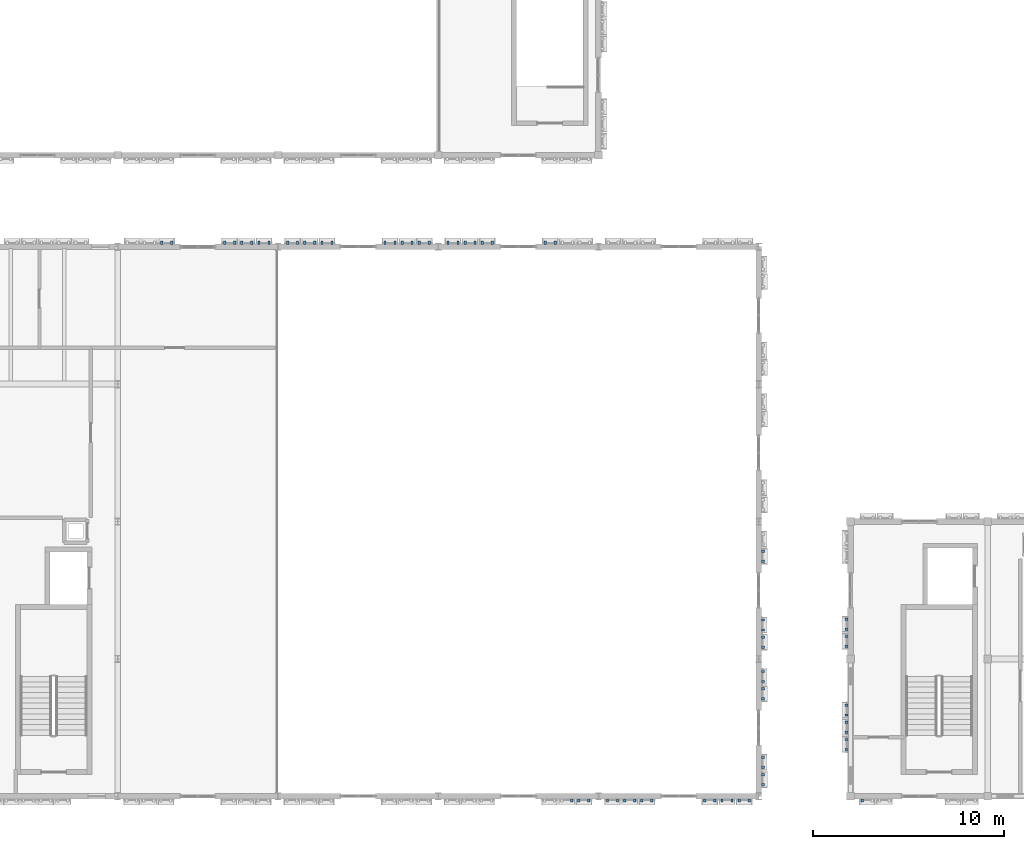
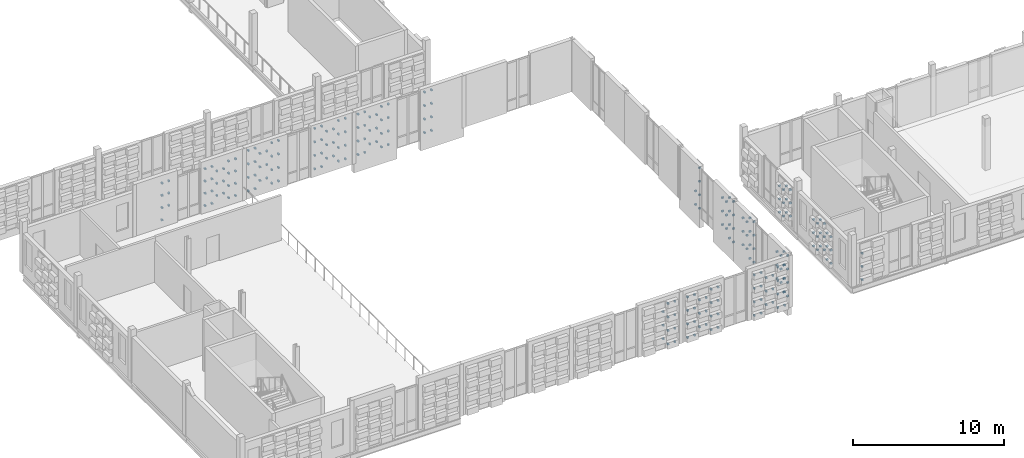
# One storey, part 67 of 81: 239 discrete accessories.
"""IFC4 building model written with IfcOpenShell, lengths in metres."""

import ifcopenshell
import ifcopenshell.guid

model = None  # the IFC model being written
_history = None  # IfcOwnerHistory: only IFC2X3 demands one
_inside = {}  # id of a spatial element -> (the spatial element, [elements in it])
_under = {}  # id of a project, library or spatial element -> (it, [spatial elements below it])
_declared = {}  # id of a project -> (the project, [libraries it declares])
_typed = {}  # id of a type object -> (the type object, [elements of that type])
_made_of = {}  # id of a material, layer set ... -> (it, [elements and type objects made of it])


def new_model(schema):
    """Start an empty IFC model of exactly this schema.

    Asked for "IFC4X3", IfcOpenShell would pick the latest addendum, in which some entities
    have other attributes; the version numbers below select the first issue.
    IFC2X3 requires an IfcOwnerHistory on every rooted entity: one is made here for all.
    """
    global model, _history
    if schema == "IFC4X3":
        model = ifcopenshell.file(schema_version=(4, 3, 0, 0))
    else:
        model = ifcopenshell.file(schema=schema)
    _inside.clear()
    _under.clear()
    _declared.clear()
    _typed.clear()
    _made_of.clear()
    _history = None
    if model.schema == "IFC2X3":
        org = make("IfcOrganization", Name="unknown")
        user = make(
            "IfcPersonAndOrganization",
            ThePerson=make("IfcPerson", FamilyName="unknown"),
            TheOrganization=org,
        )
        app = make(
            "IfcApplication",
            ApplicationDeveloper=org,
            Version="unknown",
            ApplicationFullName="unknown",
            ApplicationIdentifier="unknown",
        )
        _history = make(
            "IfcOwnerHistory",
            OwningUser=user,
            OwningApplication=app,
            ChangeAction="ADDED",
            CreationDate=0,
        )
    return model


def make(cls, **values):
    """One entity of the class cls with the attributes given. An attribute that is None is left unset."""
    return model.create_entity(
        cls, **{name: value for name, value in values.items() if value is not None}
    )


def rooted(cls, **values):
    """An entity with a GlobalId (a new one), such as an element, a storey or a relation."""
    return make(cls, GlobalId=ifcopenshell.guid.new(), OwnerHistory=_history, **values)


def si_unit(unit_type, name, prefix=None):
    """IfcSIUnit, for example si_unit("LENGTHUNIT", "METRE", prefix="MILLI")."""
    return make("IfcSIUnit", UnitType=unit_type, Prefix=prefix, Name=name)


def assignment(units):
    """IfcUnitAssignment: the units of a project."""
    return None if units is None else make("IfcUnitAssignment", Units=units)


def point(xyz):
    """IfcCartesianPoint."""
    return None if xyz is None else make("IfcCartesianPoint", Coordinates=xyz)


def direction(xyz):
    """IfcDirection."""
    return None if xyz is None else make("IfcDirection", DirectionRatios=xyz)


def frame(location, z_axis=None, x_axis=None):
    """IfcAxis2Placement3D, a coordinate frame: its origin and axes. An axis left out is left unset."""
    return make(
        "IfcAxis2Placement3D",
        Location=point(location),
        Axis=direction(z_axis),
        RefDirection=direction(x_axis),
    )


def frame_2d(location, x_axis=None):
    """IfcAxis2Placement2D, a coordinate frame in the plane: its origin and x axis."""
    return make(
        "IfcAxis2Placement2D", Location=point(location), RefDirection=direction(x_axis)
    )


def origin():
    """The frame at (0, 0, 0) with its axes left unset."""
    return frame((0.0, 0.0, 0.0))


def origin_2d():
    """The frame at (0, 0) in the plane with its x axis left unset."""
    return frame_2d((0.0, 0.0))


def place(relative_to, where):
    """IfcLocalPlacement: puts the frame where relative to a parent placement (None: the world)."""
    return make(
        "IfcLocalPlacement", PlacementRelTo=relative_to, RelativePlacement=where
    )


def context(
    kind, dimensions, precision=None, world=None, true_north=None, identifier=None
):
    """IfcGeometricRepresentationContext, for example the 3D "Model" context."""
    return make(
        "IfcGeometricRepresentationContext",
        ContextIdentifier=identifier,
        ContextType=kind,
        CoordinateSpaceDimension=dimensions,
        Precision=precision,
        WorldCoordinateSystem=world,
        TrueNorth=true_north,
    )


def subcontext(parent, identifier, kind, view, scale=None):
    """IfcGeometricRepresentationSubContext, for example "Body" below "Model"."""
    return make(
        "IfcGeometricRepresentationSubContext",
        ContextIdentifier=identifier,
        ContextType=kind,
        ParentContext=parent,
        TargetScale=scale,
        TargetView=view,
    )


def project(units=None, contexts=None):
    """IfcProject with its units and contexts."""
    return rooted(
        "IfcProject",
        Name="project",
        RepresentationContexts=contexts,
        UnitsInContext=assignment(units),
    )


def spatial(cls, under=None, at=None, **own):
    """A site, building, storey or space (cls), placed at a placement, below another one or the project."""
    s = rooted(cls, ObjectPlacement=at, **own)
    if under is not None:
        _under.setdefault(under.id(), (under, []))[1].append(s)
    return s


def profile(cls, at=None, kind="AREA", **sizes):
    """A parametric profile (cls). Its sizes go by their IFC names, for example OverallWidth=200.0."""
    return make(cls, ProfileType=kind, Position=at, **sizes)


def rectangle(**sizes):
    """IfcRectangleProfileDef."""
    return profile("IfcRectangleProfileDef", **sizes)


def extrude(swept, where, along, depth):
    """IfcExtrudedAreaSolid: the profile swept, set in the frame where, extruded along a direction by depth."""
    return make(
        "IfcExtrudedAreaSolid",
        SweptArea=swept,
        Position=where,
        ExtrudedDirection=direction(along),
        Depth=depth,
    )


def shape(context_of_items, identifier, shape_type, items):
    """IfcShapeRepresentation: the items that make up one representation, for example the "Body"."""
    return make(
        "IfcShapeRepresentation",
        ContextOfItems=context_of_items,
        RepresentationIdentifier=identifier,
        RepresentationType=shape_type,
        Items=items,
    )


def material(Name=None, Category=None):
    """IfcMaterial."""
    return make("IfcMaterial", Name=Name, Category=Category)


def made_of(thing, what):
    """Note that an element or type object is made of a material, layer set ...; save() writes the relation."""
    if what is not None:
        _made_of.setdefault(what.id(), (what, []))[1].append(thing)
    return thing


def type_object(cls, material=None, **own):
    """A type object (cls), such as IfcWallType, which elements share."""
    return made_of(rooted(cls, **own), material)


def element(
    cls,
    number,
    at=None,
    inside=None,
    cuts=None,
    type_object=None,
    material=None,
    context=None,
    identifier="Body",
    shape_type=None,
    held_by="IfcProductDefinitionShape",
    body=None,
    shapes=None,
    **own,
):
    """One element of the class cls, such as IfcWall. Its Tag is "e" and its number.

    at: its placement. inside: the storey or other place that contains it. cuts: it is an
    opening in that element (IfcRelVoidsElement). A single representation is given by context,
    identifier, shape_type and body (its items); several are given by shapes. held_by: the class
    of the entity that holds the representations. save() writes the other relations.
    """
    e = rooted(cls, Tag="e%d" % number, ObjectPlacement=at, **own)
    if body is not None:
        shapes = [shape(context, identifier, shape_type, body)]
    if shapes is not None:
        e.Representation = make(held_by, Representations=shapes)
    if inside is not None:
        _inside.setdefault(inside.id(), (inside, []))[1].append(e)
    if cuts is not None:
        rooted(
            "IfcRelVoidsElement", RelatingBuildingElement=cuts, RelatedOpeningElement=e
        )
    if type_object is not None:
        _typed.setdefault(type_object.id(), (type_object, []))[1].append(e)
    return made_of(e, material)


def aggregate(whole, parts):
    """IfcRelAggregates: a whole, such as a stair, and the parts it consists of."""
    return rooted("IfcRelAggregates", RelatingObject=whole, RelatedObjects=parts)


def save(model, path):
    """Write the relations noted so far, then the file.

    IfcRelAggregates (storeys below a building ...), IfcRelContainedInSpatialStructure (elements
    in a storey), IfcRelDefinesByType, IfcRelAssociatesMaterial and IfcRelDeclares: one each for
    every whole, place, type object, material and project.
    """
    for whole, parts in _under.values():
        aggregate(whole, parts)
    for where, things in _inside.values():
        rooted(
            "IfcRelContainedInSpatialStructure",
            RelatedElements=things,
            RelatingStructure=where,
        )
    for kind, things in _typed.values():
        rooted("IfcRelDefinesByType", RelatedObjects=things, RelatingType=kind)
    for what, things in _made_of.values():
        rooted("IfcRelAssociatesMaterial", RelatedObjects=things, RelatingMaterial=what)
    for by, libraries in _declared.values():
        rooted("IfcRelDeclares", RelatingContext=by, RelatedDefinitions=libraries)
    model.write(path)


model = new_model("IFC4")

# Units and contexts
model_context = context("Model", 3, precision=1e-05, world=origin(), true_north=direction((0.0, 1.0)))
body_context = subcontext(model_context, "Body", "Model", "MODEL_VIEW")
ifc_project = project(units=[si_unit("LENGTHUNIT", "METRE"), si_unit("AREAUNIT", "SQUARE_METRE"), si_unit("VOLUMEUNIT", "CUBIC_METRE"), si_unit("PLANEANGLEUNIT", "RADIAN"), si_unit("MASSUNIT", "GRAM", prefix="KILO")], contexts=[model_context])

# Site, building, storey
site_placement = place(None, origin())
site = spatial("IfcSite", under=ifc_project, at=site_placement, CompositionType="ELEMENT")
building_placement = place(site_placement, origin())
building = spatial("IfcBuilding", under=site, at=building_placement, Name="Kahlenmark Community Centre", CompositionType="ELEMENT")
storey_placement = place(building_placement, frame((0.0, 0.0, 9.60009765625)))
storey = spatial("IfcBuildingStorey", under=building, at=storey_placement, Name="L02", CompositionType="ELEMENT", Elevation=9.60009765625)

# Discrete accessories
ifc_material = material(Name="Stainless steel 1.4401 rainscreen bracket", Category="steel")
discrete_accessory_type = type_object("IfcDiscreteAccessoryType", Name="DAT-BRACKET-TC", PredefinedType="BRACKET", material=ifc_material)
for number, where, z_axis, x_axis, name in (
    (1, (36.18994140625, 8.590087890625, 0.8388671875), (0.0, 0.0, 1.0), (1.0, 0.0, 0.0), "Terracotta cassette bracket 1911.2"),
    (2, (36.18994140625, 8.590087890625, 1.930908203125), (0.0, 0.0, 1.0), (1.0, 0.0, 0.0), "Terracotta cassette bracket 1913.2"),
    (3, (36.18994140625, 8.590087890625, 3.02294921875), (0.0, 0.0, 1.0), (1.0, 0.0, 0.0), "Terracotta cassette bracket 1915.2"),
    (4, (36.570068359375, 8.590087890625, 0.292724609375), (0.0, 0.0, 1.0), (1.0, 0.0, 0.0), "Terracotta cassette bracket 1917.1"),
    (5, (37.090087890625, 8.590087890625, 0.292724609375), (0.0, 0.0, 1.0), (1.0, 0.0, 0.0), "Terracotta cassette bracket 1917.2"),
    (6, (36.570068359375, 8.590087890625, 1.384765625), (0.0, 0.0, 1.0), (1.0, 0.0, 0.0), "Terracotta cassette bracket 1919.1"),
    (7, (37.090087890625, 8.590087890625, 1.384765625), (0.0, 0.0, 1.0), (1.0, 0.0, 0.0), "Terracotta cassette bracket 1919.2"),
    (8, (36.570068359375, 8.590087890625, 2.476806640625), (0.0, 0.0, 1.0), (1.0, 0.0, 0.0), "Terracotta cassette bracket 1921.1"),
    (9, (37.090087890625, 8.590087890625, 2.476806640625), (0.0, 0.0, 1.0), (1.0, 0.0, 0.0), "Terracotta cassette bracket 1921.2"),
    (10, (36.570068359375, 8.590087890625, 3.56884765625), (0.0, 0.0, 1.0), (1.0, 0.0, 0.0), "Terracotta cassette bracket 1923.1"),
    (11, (37.090087890625, 8.590087890625, 3.56884765625), (0.0, 0.0, 1.0), (1.0, 0.0, 0.0), "Terracotta cassette bracket 1923.2"),
    (12, (38.070068359375, 8.590087890625, 0.292724609375), (0.0, 0.0, 1.0), (1.0, 0.0, 0.0), "Terracotta cassette bracket 1924.1"),
    (13, (38.590087890625, 8.590087890625, 0.292724609375), (0.0, 0.0, 1.0), (1.0, 0.0, 0.0), "Terracotta cassette bracket 1924.2"),
    (14, (38.070068359375, 8.590087890625, 1.384765625), (0.0, 0.0, 1.0), (1.0, 0.0, 0.0), "Terracotta cassette bracket 1926.1"),
    (15, (38.590087890625, 8.590087890625, 1.384765625), (0.0, 0.0, 1.0), (1.0, 0.0, 0.0), "Terracotta cassette bracket 1926.2"),
    (16, (38.070068359375, 8.590087890625, 2.476806640625), (0.0, 0.0, 1.0), (1.0, 0.0, 0.0), "Terracotta cassette bracket 1928.1"),
    (17, (38.590087890625, 8.590087890625, 2.476806640625), (0.0, 0.0, 1.0), (1.0, 0.0, 0.0), "Terracotta cassette bracket 1928.2"),
    (18, (38.070068359375, 8.590087890625, 3.56884765625), (0.0, 0.0, 1.0), (1.0, 0.0, 0.0), "Terracotta cassette bracket 1930.1"),
    (19, (38.590087890625, 8.590087890625, 3.56884765625), (0.0, 0.0, 1.0), (1.0, 0.0, 0.0), "Terracotta cassette bracket 1930.2"),
    (20, (38.969970703125, 8.590087890625, 0.8388671875), (0.0, 0.0, 1.0), (1.0, 0.0, 0.0), "Terracotta cassette bracket 1932.1"),
    (21, (39.489990234375, 8.590087890625, 0.8388671875), (0.0, 0.0, 1.0), (1.0, 0.0, 0.0), "Terracotta cassette bracket 1932.2"),
    (22, (38.969970703125, 8.590087890625, 1.930908203125), (0.0, 0.0, 1.0), (1.0, 0.0, 0.0), "Terracotta cassette bracket 1934.1"),
    (23, (39.489990234375, 8.590087890625, 1.930908203125), (0.0, 0.0, 1.0), (1.0, 0.0, 0.0), "Terracotta cassette bracket 1934.2"),
    (24, (38.969970703125, 8.590087890625, 3.02294921875), (0.0, 0.0, 1.0), (1.0, 0.0, 0.0), "Terracotta cassette bracket 1936.1"),
    (25, (39.489990234375, 8.590087890625, 3.02294921875), (0.0, 0.0, 1.0), (1.0, 0.0, 0.0), "Terracotta cassette bracket 1936.2"),
    (26, (39.8701171875, 8.590087890625, 0.292724609375), (0.0, 0.0, 1.0), (1.0, 0.0, 0.0), "Terracotta cassette bracket 1938.1"),
    (27, (40.389892578125, 8.590087890625, 0.292724609375), (0.0, 0.0, 1.0), (1.0, 0.0, 0.0), "Terracotta cassette bracket 1938.2"),
    (28, (39.8701171875, 8.590087890625, 1.384765625), (0.0, 0.0, 1.0), (1.0, 0.0, 0.0), "Terracotta cassette bracket 1940.1"),
    (29, (40.389892578125, 8.590087890625, 1.384765625), (0.0, 0.0, 1.0), (1.0, 0.0, 0.0), "Terracotta cassette bracket 1940.2"),
    (30, (39.8701171875, 8.590087890625, 2.476806640625), (0.0, 0.0, 1.0), (1.0, 0.0, 0.0), "Terracotta cassette bracket 1942.1"),
    (31, (40.389892578125, 8.590087890625, 2.476806640625), (0.0, 0.0, 1.0), (1.0, 0.0, 0.0), "Terracotta cassette bracket 1942.2"),
    (32, (39.8701171875, 8.590087890625, 3.56884765625), (0.0, 0.0, 1.0), (1.0, 0.0, 0.0), "Terracotta cassette bracket 1944.1"),
    (33, (40.389892578125, 8.590087890625, 3.56884765625), (0.0, 0.0, 1.0), (1.0, 0.0, 0.0), "Terracotta cassette bracket 1944.2"),
    (34, (43.169921875, 8.590087890625, 0.292724609375), (0.0, 0.0, 1.0), (1.0, 0.0, 0.0), "Terracotta cassette bracket 1945.1"),
    (35, (43.68994140625, 8.590087890625, 0.292724609375), (0.0, 0.0, 1.0), (1.0, 0.0, 0.0), "Terracotta cassette bracket 1945.2"),
    (36, (43.169921875, 8.590087890625, 1.384765625), (0.0, 0.0, 1.0), (1.0, 0.0, 0.0), "Terracotta cassette bracket 1947.1"),
    (37, (43.68994140625, 8.590087890625, 1.384765625), (0.0, 0.0, 1.0), (1.0, 0.0, 0.0), "Terracotta cassette bracket 1947.2"),
    (38, (43.169921875, 8.590087890625, 2.476806640625), (0.0, 0.0, 1.0), (1.0, 0.0, 0.0), "Terracotta cassette bracket 1949.1"),
    (39, (43.68994140625, 8.590087890625, 2.476806640625), (0.0, 0.0, 1.0), (1.0, 0.0, 0.0), "Terracotta cassette bracket 1949.2"),
    (40, (43.169921875, 8.590087890625, 3.56884765625), (0.0, 0.0, 1.0), (1.0, 0.0, 0.0), "Terracotta cassette bracket 1951.1"),
    (41, (43.68994140625, 8.590087890625, 3.56884765625), (0.0, 0.0, 1.0), (1.0, 0.0, 0.0), "Terracotta cassette bracket 1951.2"),
    (42, (44.070068359375, 8.590087890625, 0.8388671875), (0.0, 0.0, 1.0), (1.0, 0.0, 0.0), "Terracotta cassette bracket 1953.1"),
    (43, (44.590087890625, 8.590087890625, 0.8388671875), (0.0, 0.0, 1.0), (1.0, 0.0, 0.0), "Terracotta cassette bracket 1953.2"),
    (44, (44.070068359375, 8.590087890625, 1.930908203125), (0.0, 0.0, 1.0), (1.0, 0.0, 0.0), "Terracotta cassette bracket 1955.1"),
    (45, (44.590087890625, 8.590087890625, 1.930908203125), (0.0, 0.0, 1.0), (1.0, 0.0, 0.0), "Terracotta cassette bracket 1955.2"),
    (46, (44.070068359375, 8.590087890625, 3.02294921875), (0.0, 0.0, 1.0), (1.0, 0.0, 0.0), "Terracotta cassette bracket 1957.1"),
    (47, (44.590087890625, 8.590087890625, 3.02294921875), (0.0, 0.0, 1.0), (1.0, 0.0, 0.0), "Terracotta cassette bracket 1957.2"),
    (48, (44.969970703125, 8.590087890625, 0.292724609375), (0.0, 0.0, 1.0), (1.0, 0.0, 0.0), "Terracotta cassette bracket 1959.1"),
    (49, (45.489990234375, 8.590087890625, 0.292724609375), (0.0, 0.0, 1.0), (1.0, 0.0, 0.0), "Terracotta cassette bracket 1959.2"),
    (50, (44.969970703125, 8.590087890625, 1.384765625), (0.0, 0.0, 1.0), (1.0, 0.0, 0.0), "Terracotta cassette bracket 1961.1"),
    (51, (45.489990234375, 8.590087890625, 1.384765625), (0.0, 0.0, 1.0), (1.0, 0.0, 0.0), "Terracotta cassette bracket 1961.2"),
    (52, (44.969970703125, 8.590087890625, 2.476806640625), (0.0, 0.0, 1.0), (1.0, 0.0, 0.0), "Terracotta cassette bracket 1963.1"),
    (53, (45.489990234375, 8.590087890625, 2.476806640625), (0.0, 0.0, 1.0), (1.0, 0.0, 0.0), "Terracotta cassette bracket 1963.2"),
    (54, (44.969970703125, 8.590087890625, 3.56884765625), (0.0, 0.0, 1.0), (1.0, 0.0, 0.0), "Terracotta cassette bracket 1965.1"),
    (55, (45.489990234375, 8.590087890625, 3.56884765625), (0.0, 0.0, 1.0), (1.0, 0.0, 0.0), "Terracotta cassette bracket 1965.2"),
    (56, (20.330078125, 37.81005859375, 0.267822265625), (0.0, 0.0, 1.0), (-1.0, 0.0, 0.0), "Terracotta cassette bracket 2001.1"),
    (57, (19.81005859375, 37.81005859375, 0.267822265625), (0.0, 0.0, 1.0), (-1.0, 0.0, 0.0), "Terracotta cassette bracket 2001.2"),
    (58, (20.330078125, 37.81005859375, 1.259765625), (0.0, 0.0, 1.0), (-1.0, 0.0, 0.0), "Terracotta cassette bracket 2003.1"),
    (59, (19.81005859375, 37.81005859375, 1.259765625), (0.0, 0.0, 1.0), (-1.0, 0.0, 0.0), "Terracotta cassette bracket 2003.2"),
    (60, (20.330078125, 37.81005859375, 2.251953125), (0.0, 0.0, 1.0), (-1.0, 0.0, 0.0), "Terracotta cassette bracket 2005.1"),
    (61, (19.81005859375, 37.81005859375, 2.251953125), (0.0, 0.0, 1.0), (-1.0, 0.0, 0.0), "Terracotta cassette bracket 2005.2"),
    (62, (20.330078125, 37.81005859375, 3.243896484375), (0.0, 0.0, 1.0), (-1.0, 0.0, 0.0), "Terracotta cassette bracket 2007.1"),
    (63, (19.81005859375, 37.81005859375, 3.243896484375), (0.0, 0.0, 1.0), (-1.0, 0.0, 0.0), "Terracotta cassette bracket 2007.2"),
    (64, (19.429931640625, 37.81005859375, 0.763916015625), (0.0, 0.0, 1.0), (-1.0, 0.0, 0.0), "Terracotta cassette bracket 2009.1"),
    (65, (18.909912109375, 37.81005859375, 0.763916015625), (0.0, 0.0, 1.0), (-1.0, 0.0, 0.0), "Terracotta cassette bracket 2009.2"),
    (66, (19.429931640625, 37.81005859375, 1.755859375), (0.0, 0.0, 1.0), (-1.0, 0.0, 0.0), "Terracotta cassette bracket 2011.1"),
    (67, (18.909912109375, 37.81005859375, 1.755859375), (0.0, 0.0, 1.0), (-1.0, 0.0, 0.0), "Terracotta cassette bracket 2011.2"),
    (68, (19.429931640625, 37.81005859375, 2.747802734375), (0.0, 0.0, 1.0), (-1.0, 0.0, 0.0), "Terracotta cassette bracket 2013.1"),
    (69, (18.909912109375, 37.81005859375, 2.747802734375), (0.0, 0.0, 1.0), (-1.0, 0.0, 0.0), "Terracotta cassette bracket 2013.2"),
    (70, (18.530029296875, 37.81005859375, 0.267822265625), (0.0, 0.0, 1.0), (-1.0, 0.0, 0.0), "Terracotta cassette bracket 2015.1"),
    (71, (18.010009765625, 37.81005859375, 0.267822265625), (0.0, 0.0, 1.0), (-1.0, 0.0, 0.0), "Terracotta cassette bracket 2015.2"),
    (72, (18.530029296875, 37.81005859375, 1.259765625), (0.0, 0.0, 1.0), (-1.0, 0.0, 0.0), "Terracotta cassette bracket 2017.1"),
    (73, (18.010009765625, 37.81005859375, 1.259765625), (0.0, 0.0, 1.0), (-1.0, 0.0, 0.0), "Terracotta cassette bracket 2017.2"),
    (74, (18.530029296875, 37.81005859375, 2.251953125), (0.0, 0.0, 1.0), (-1.0, 0.0, 0.0), "Terracotta cassette bracket 2019.1"),
    (75, (18.010009765625, 37.81005859375, 2.251953125), (0.0, 0.0, 1.0), (-1.0, 0.0, 0.0), "Terracotta cassette bracket 2019.2"),
    (76, (18.530029296875, 37.81005859375, 3.243896484375), (0.0, 0.0, 1.0), (-1.0, 0.0, 0.0), "Terracotta cassette bracket 2021.1"),
    (77, (18.010009765625, 37.81005859375, 3.243896484375), (0.0, 0.0, 1.0), (-1.0, 0.0, 0.0), "Terracotta cassette bracket 2021.2"),
    (78, (14.7099609375, 37.81005859375, 0.267822265625), (0.0, 0.0, 1.0), (-1.0, 0.0, 0.0), "Terracotta cassette bracket 2022.2"),
    (79, (15.22998046875, 37.81005859375, 1.259765625), (0.0, 0.0, 1.0), (-1.0, 0.0, 0.0), "Terracotta cassette bracket 2024.1"),
    (80, (14.7099609375, 37.81005859375, 1.259765625), (0.0, 0.0, 1.0), (-1.0, 0.0, 0.0), "Terracotta cassette bracket 2024.2"),
    (81, (15.22998046875, 37.81005859375, 2.251953125), (0.0, 0.0, 1.0), (-1.0, 0.0, 0.0), "Terracotta cassette bracket 2026.1"),
    (82, (14.7099609375, 37.81005859375, 2.251953125), (0.0, 0.0, 1.0), (-1.0, 0.0, 0.0), "Terracotta cassette bracket 2026.2"),
    (83, (15.22998046875, 37.81005859375, 3.243896484375), (0.0, 0.0, 1.0), (-1.0, 0.0, 0.0), "Terracotta cassette bracket 2028.1"),
    (84, (14.7099609375, 37.81005859375, 3.243896484375), (0.0, 0.0, 1.0), (-1.0, 0.0, 0.0), "Terracotta cassette bracket 2028.2"),
    (85, (28.72998046875, 37.81005859375, 0.292724609375), (0.0, 0.0, 1.0), (-1.0, 0.0, 0.0), "Terracotta cassette bracket 2043.1"),
    (86, (28.2099609375, 37.81005859375, 0.292724609375), (0.0, 0.0, 1.0), (-1.0, 0.0, 0.0), "Terracotta cassette bracket 2043.2"),
    (87, (28.72998046875, 37.81005859375, 1.384765625), (0.0, 0.0, 1.0), (-1.0, 0.0, 0.0), "Terracotta cassette bracket 2045.1"),
    (88, (28.2099609375, 37.81005859375, 1.384765625), (0.0, 0.0, 1.0), (-1.0, 0.0, 0.0), "Terracotta cassette bracket 2045.2"),
    (89, (28.72998046875, 37.81005859375, 2.476806640625), (0.0, 0.0, 1.0), (-1.0, 0.0, 0.0), "Terracotta cassette bracket 2047.1"),
    (90, (28.2099609375, 37.81005859375, 2.476806640625), (0.0, 0.0, 1.0), (-1.0, 0.0, 0.0), "Terracotta cassette bracket 2047.2"),
    (91, (28.72998046875, 37.81005859375, 3.56884765625), (0.0, 0.0, 1.0), (-1.0, 0.0, 0.0), "Terracotta cassette bracket 2049.1"),
    (92, (28.2099609375, 37.81005859375, 3.56884765625), (0.0, 0.0, 1.0), (-1.0, 0.0, 0.0), "Terracotta cassette bracket 2049.2"),
    (93, (27.830078125, 37.81005859375, 0.8388671875), (0.0, 0.0, 1.0), (-1.0, 0.0, 0.0), "Terracotta cassette bracket 2051.1"),
    (94, (27.31005859375, 37.81005859375, 0.8388671875), (0.0, 0.0, 1.0), (-1.0, 0.0, 0.0), "Terracotta cassette bracket 2051.2"),
    (95, (27.830078125, 37.81005859375, 1.930908203125), (0.0, 0.0, 1.0), (-1.0, 0.0, 0.0), "Terracotta cassette bracket 2053.1"),
    (96, (27.31005859375, 37.81005859375, 1.930908203125), (0.0, 0.0, 1.0), (-1.0, 0.0, 0.0), "Terracotta cassette bracket 2053.2"),
    (97, (27.830078125, 37.81005859375, 3.02294921875), (0.0, 0.0, 1.0), (-1.0, 0.0, 0.0), "Terracotta cassette bracket 2055.1"),
    (98, (27.31005859375, 37.81005859375, 3.02294921875), (0.0, 0.0, 1.0), (-1.0, 0.0, 0.0), "Terracotta cassette bracket 2055.2"),
    (99, (26.929931640625, 37.81005859375, 0.292724609375), (0.0, 0.0, 1.0), (-1.0, 0.0, 0.0), "Terracotta cassette bracket 2057.1"),
    (100, (26.409912109375, 37.81005859375, 0.292724609375), (0.0, 0.0, 1.0), (-1.0, 0.0, 0.0), "Terracotta cassette bracket 2057.2"),
    (101, (26.929931640625, 37.81005859375, 1.384765625), (0.0, 0.0, 1.0), (-1.0, 0.0, 0.0), "Terracotta cassette bracket 2059.1"),
    (102, (26.409912109375, 37.81005859375, 1.384765625), (0.0, 0.0, 1.0), (-1.0, 0.0, 0.0), "Terracotta cassette bracket 2059.2"),
    (103, (26.929931640625, 37.81005859375, 2.476806640625), (0.0, 0.0, 1.0), (-1.0, 0.0, 0.0), "Terracotta cassette bracket 2061.1"),
    (104, (26.409912109375, 37.81005859375, 2.476806640625), (0.0, 0.0, 1.0), (-1.0, 0.0, 0.0), "Terracotta cassette bracket 2061.2"),
    (105, (26.929931640625, 37.81005859375, 3.56884765625), (0.0, 0.0, 1.0), (-1.0, 0.0, 0.0), "Terracotta cassette bracket 2063.1"),
    (106, (26.409912109375, 37.81005859375, 3.56884765625), (0.0, 0.0, 1.0), (-1.0, 0.0, 0.0), "Terracotta cassette bracket 2063.2"),
    (107, (23.6298828125, 37.81005859375, 0.292724609375), (0.0, 0.0, 1.0), (-1.0, 0.0, 0.0), "Terracotta cassette bracket 2064.1"),
    (108, (23.110107421875, 37.81005859375, 0.292724609375), (0.0, 0.0, 1.0), (-1.0, 0.0, 0.0), "Terracotta cassette bracket 2064.2"),
    (109, (23.6298828125, 37.81005859375, 1.384765625), (0.0, 0.0, 1.0), (-1.0, 0.0, 0.0), "Terracotta cassette bracket 2066.1"),
    (110, (23.110107421875, 37.81005859375, 1.384765625), (0.0, 0.0, 1.0), (-1.0, 0.0, 0.0), "Terracotta cassette bracket 2066.2"),
    (111, (23.6298828125, 37.81005859375, 2.476806640625), (0.0, 0.0, 1.0), (-1.0, 0.0, 0.0), "Terracotta cassette bracket 2068.1"),
    (112, (23.110107421875, 37.81005859375, 2.476806640625), (0.0, 0.0, 1.0), (-1.0, 0.0, 0.0), "Terracotta cassette bracket 2068.2"),
    (113, (23.6298828125, 37.81005859375, 3.56884765625), (0.0, 0.0, 1.0), (-1.0, 0.0, 0.0), "Terracotta cassette bracket 2070.1"),
    (114, (23.110107421875, 37.81005859375, 3.56884765625), (0.0, 0.0, 1.0), (-1.0, 0.0, 0.0), "Terracotta cassette bracket 2070.2"),
    (115, (22.72998046875, 37.81005859375, 0.8388671875), (0.0, 0.0, 1.0), (-1.0, 0.0, 0.0), "Terracotta cassette bracket 2072.1"),
    (116, (22.2099609375, 37.81005859375, 0.8388671875), (0.0, 0.0, 1.0), (-1.0, 0.0, 0.0), "Terracotta cassette bracket 2072.2"),
    (117, (22.72998046875, 37.81005859375, 1.930908203125), (0.0, 0.0, 1.0), (-1.0, 0.0, 0.0), "Terracotta cassette bracket 2074.1"),
    (118, (22.2099609375, 37.81005859375, 1.930908203125), (0.0, 0.0, 1.0), (-1.0, 0.0, 0.0), "Terracotta cassette bracket 2074.2"),
    (119, (22.72998046875, 37.81005859375, 3.02294921875), (0.0, 0.0, 1.0), (-1.0, 0.0, 0.0), "Terracotta cassette bracket 2076.1"),
    (120, (22.2099609375, 37.81005859375, 3.02294921875), (0.0, 0.0, 1.0), (-1.0, 0.0, 0.0), "Terracotta cassette bracket 2076.2"),
    (121, (21.830078125, 37.81005859375, 0.292724609375), (0.0, 0.0, 1.0), (-1.0, 0.0, 0.0), "Terracotta cassette bracket 2078.1"),
    (122, (21.31005859375, 37.81005859375, 0.292724609375), (0.0, 0.0, 1.0), (-1.0, 0.0, 0.0), "Terracotta cassette bracket 2078.2"),
    (123, (21.830078125, 37.81005859375, 1.384765625), (0.0, 0.0, 1.0), (-1.0, 0.0, 0.0), "Terracotta cassette bracket 2080.1"),
    (124, (21.31005859375, 37.81005859375, 1.384765625), (0.0, 0.0, 1.0), (-1.0, 0.0, 0.0), "Terracotta cassette bracket 2080.2"),
    (125, (21.830078125, 37.81005859375, 2.476806640625), (0.0, 0.0, 1.0), (-1.0, 0.0, 0.0), "Terracotta cassette bracket 2082.1"),
    (126, (21.31005859375, 37.81005859375, 2.476806640625), (0.0, 0.0, 1.0), (-1.0, 0.0, 0.0), "Terracotta cassette bracket 2082.2"),
    (127, (21.830078125, 37.81005859375, 3.56884765625), (0.0, 0.0, 1.0), (-1.0, 0.0, 0.0), "Terracotta cassette bracket 2084.1"),
    (128, (21.31005859375, 37.81005859375, 3.56884765625), (0.0, 0.0, 1.0), (-1.0, 0.0, 0.0), "Terracotta cassette bracket 2084.2"),
    (129, (35.330078125, 37.81005859375, 0.292724609375), (0.0, 0.0, 1.0), (-1.0, 0.0, 0.0), "Terracotta cassette bracket 2099.1"),
    (130, (34.81005859375, 37.81005859375, 0.292724609375), (0.0, 0.0, 1.0), (-1.0, 0.0, 0.0), "Terracotta cassette bracket 2099.2"),
    (131, (35.330078125, 37.81005859375, 1.384765625), (0.0, 0.0, 1.0), (-1.0, 0.0, 0.0), "Terracotta cassette bracket 2101.1"),
    (132, (34.81005859375, 37.81005859375, 1.384765625), (0.0, 0.0, 1.0), (-1.0, 0.0, 0.0), "Terracotta cassette bracket 2101.2"),
    (133, (35.330078125, 37.81005859375, 2.476806640625), (0.0, 0.0, 1.0), (-1.0, 0.0, 0.0), "Terracotta cassette bracket 2103.1"),
    (134, (34.81005859375, 37.81005859375, 2.476806640625), (0.0, 0.0, 1.0), (-1.0, 0.0, 0.0), "Terracotta cassette bracket 2103.2"),
    (135, (35.330078125, 37.81005859375, 3.56884765625), (0.0, 0.0, 1.0), (-1.0, 0.0, 0.0), "Terracotta cassette bracket 2105.1"),
    (136, (34.81005859375, 37.81005859375, 3.56884765625), (0.0, 0.0, 1.0), (-1.0, 0.0, 0.0), "Terracotta cassette bracket 2105.2"),
    (137, (32.030029296875, 37.81005859375, 0.292724609375), (0.0, 0.0, 1.0), (-1.0, 0.0, 0.0), "Terracotta cassette bracket 2106.1"),
    (138, (31.510009765625, 37.81005859375, 0.292724609375), (0.0, 0.0, 1.0), (-1.0, 0.0, 0.0), "Terracotta cassette bracket 2106.2"),
    (139, (32.030029296875, 37.81005859375, 1.384765625), (0.0, 0.0, 1.0), (-1.0, 0.0, 0.0), "Terracotta cassette bracket 2108.1"),
    (140, (31.510009765625, 37.81005859375, 1.384765625), (0.0, 0.0, 1.0), (-1.0, 0.0, 0.0), "Terracotta cassette bracket 2108.2"),
    (141, (32.030029296875, 37.81005859375, 2.476806640625), (0.0, 0.0, 1.0), (-1.0, 0.0, 0.0), "Terracotta cassette bracket 2110.1"),
    (142, (31.510009765625, 37.81005859375, 2.476806640625), (0.0, 0.0, 1.0), (-1.0, 0.0, 0.0), "Terracotta cassette bracket 2110.2"),
    (143, (32.030029296875, 37.81005859375, 3.56884765625), (0.0, 0.0, 1.0), (-1.0, 0.0, 0.0), "Terracotta cassette bracket 2112.1"),
    (144, (31.510009765625, 37.81005859375, 3.56884765625), (0.0, 0.0, 1.0), (-1.0, 0.0, 0.0), "Terracotta cassette bracket 2112.2"),
    (145, (31.1298828125, 37.81005859375, 0.8388671875), (0.0, 0.0, 1.0), (-1.0, 0.0, 0.0), "Terracotta cassette bracket 2114.1"),
    (146, (30.610107421875, 37.81005859375, 0.8388671875), (0.0, 0.0, 1.0), (-1.0, 0.0, 0.0), "Terracotta cassette bracket 2114.2"),
    (147, (31.1298828125, 37.81005859375, 1.930908203125), (0.0, 0.0, 1.0), (-1.0, 0.0, 0.0), "Terracotta cassette bracket 2116.1"),
    (148, (30.610107421875, 37.81005859375, 1.930908203125), (0.0, 0.0, 1.0), (-1.0, 0.0, 0.0), "Terracotta cassette bracket 2116.2"),
    (149, (31.1298828125, 37.81005859375, 3.02294921875), (0.0, 0.0, 1.0), (-1.0, 0.0, 0.0), "Terracotta cassette bracket 2118.1"),
    (150, (30.610107421875, 37.81005859375, 3.02294921875), (0.0, 0.0, 1.0), (-1.0, 0.0, 0.0), "Terracotta cassette bracket 2118.2"),
    (151, (30.22998046875, 37.81005859375, 0.292724609375), (0.0, 0.0, 1.0), (-1.0, 0.0, 0.0), "Terracotta cassette bracket 2120.1"),
    (152, (29.7099609375, 37.81005859375, 0.292724609375), (0.0, 0.0, 1.0), (-1.0, 0.0, 0.0), "Terracotta cassette bracket 2120.2"),
    (153, (30.22998046875, 37.81005859375, 1.384765625), (0.0, 0.0, 1.0), (-1.0, 0.0, 0.0), "Terracotta cassette bracket 2122.1"),
    (154, (29.7099609375, 37.81005859375, 1.384765625), (0.0, 0.0, 1.0), (-1.0, 0.0, 0.0), "Terracotta cassette bracket 2122.2"),
    (155, (30.22998046875, 37.81005859375, 2.476806640625), (0.0, 0.0, 1.0), (-1.0, 0.0, 0.0), "Terracotta cassette bracket 2124.1"),
    (156, (29.7099609375, 37.81005859375, 2.476806640625), (0.0, 0.0, 1.0), (-1.0, 0.0, 0.0), "Terracotta cassette bracket 2124.2"),
    (157, (30.22998046875, 37.81005859375, 3.56884765625), (0.0, 0.0, 1.0), (-1.0, 0.0, 0.0), "Terracotta cassette bracket 2126.1"),
    (158, (29.7099609375, 37.81005859375, 3.56884765625), (0.0, 0.0, 1.0), (-1.0, 0.0, 0.0), "Terracotta cassette bracket 2126.2"),
    (159, (46.2099609375, 9.419921875, 0.292724609375), (0.0, 0.0, 1.0), (0.0, 1.0, 0.0), "Terracotta cassette bracket 2205.1"),
    (160, (46.2099609375, 9.93994140625, 0.292724609375), (0.0, 0.0, 1.0), (0.0, 1.0, 0.0), "Terracotta cassette bracket 2205.2"),
    (161, (46.2099609375, 9.419921875, 1.384765625), (0.0, 0.0, 1.0), (0.0, 1.0, 0.0), "Terracotta cassette bracket 2207.1"),
    (162, (46.2099609375, 9.93994140625, 1.384765625), (0.0, 0.0, 1.0), (0.0, 1.0, 0.0), "Terracotta cassette bracket 2207.2"),
    (163, (46.2099609375, 9.419921875, 2.476806640625), (0.0, 0.0, 1.0), (0.0, 1.0, 0.0), "Terracotta cassette bracket 2209.1"),
    (164, (46.2099609375, 9.93994140625, 2.476806640625), (0.0, 0.0, 1.0), (0.0, 1.0, 0.0), "Terracotta cassette bracket 2209.2"),
    (165, (46.2099609375, 9.419921875, 3.56884765625), (0.0, 0.0, 1.0), (0.0, 1.0, 0.0), "Terracotta cassette bracket 2211.1"),
    (166, (46.2099609375, 9.93994140625, 3.56884765625), (0.0, 0.0, 1.0), (0.0, 1.0, 0.0), "Terracotta cassette bracket 2211.2"),
    (167, (46.2099609375, 10.320068359375, 0.8388671875), (0.0, 0.0, 1.0), (0.0, 1.0, 0.0), "Terracotta cassette bracket 2213.1"),
    (168, (46.2099609375, 10.840087890625, 0.8388671875), (0.0, 0.0, 1.0), (0.0, 1.0, 0.0), "Terracotta cassette bracket 2213.2"),
    (169, (46.2099609375, 10.320068359375, 1.930908203125), (0.0, 0.0, 1.0), (0.0, 1.0, 0.0), "Terracotta cassette bracket 2215.1"),
    (170, (46.2099609375, 10.840087890625, 1.930908203125), (0.0, 0.0, 1.0), (0.0, 1.0, 0.0), "Terracotta cassette bracket 2215.2"),
    (171, (46.2099609375, 10.320068359375, 3.02294921875), (0.0, 0.0, 1.0), (0.0, 1.0, 0.0), "Terracotta cassette bracket 2217.1"),
    (172, (46.2099609375, 10.840087890625, 3.02294921875), (0.0, 0.0, 1.0), (0.0, 1.0, 0.0), "Terracotta cassette bracket 2217.2"),
    (173, (46.2099609375, 13.919921875, 0.292724609375), (0.0, 0.0, 1.0), (0.0, 1.0, 0.0), "Terracotta cassette bracket 2219.1"),
    (174, (46.2099609375, 14.43994140625, 0.292724609375), (0.0, 0.0, 1.0), (0.0, 1.0, 0.0), "Terracotta cassette bracket 2219.2"),
    (175, (46.2099609375, 13.919921875, 1.384765625), (0.0, 0.0, 1.0), (0.0, 1.0, 0.0), "Terracotta cassette bracket 2221.1"),
    (176, (46.2099609375, 14.43994140625, 1.384765625), (0.0, 0.0, 1.0), (0.0, 1.0, 0.0), "Terracotta cassette bracket 2221.2"),
    (177, (46.2099609375, 13.919921875, 2.476806640625), (0.0, 0.0, 1.0), (0.0, 1.0, 0.0), "Terracotta cassette bracket 2223.1"),
    (178, (46.2099609375, 14.43994140625, 2.476806640625), (0.0, 0.0, 1.0), (0.0, 1.0, 0.0), "Terracotta cassette bracket 2223.2"),
    (179, (46.2099609375, 13.919921875, 3.56884765625), (0.0, 0.0, 1.0), (0.0, 1.0, 0.0), "Terracotta cassette bracket 2225.1"),
    (180, (46.2099609375, 14.43994140625, 3.56884765625), (0.0, 0.0, 1.0), (0.0, 1.0, 0.0), "Terracotta cassette bracket 2225.2"),
    (181, (46.2099609375, 14.820068359375, 0.8388671875), (0.0, 0.0, 1.0), (0.0, 1.0, 0.0), "Terracotta cassette bracket 2227.1"),
    (182, (46.2099609375, 15.340087890625, 0.8388671875), (0.0, 0.0, 1.0), (0.0, 1.0, 0.0), "Terracotta cassette bracket 2227.2"),
    (183, (46.2099609375, 14.820068359375, 1.930908203125), (0.0, 0.0, 1.0), (0.0, 1.0, 0.0), "Terracotta cassette bracket 2229.1"),
    (184, (46.2099609375, 15.340087890625, 1.930908203125), (0.0, 0.0, 1.0), (0.0, 1.0, 0.0), "Terracotta cassette bracket 2229.2"),
    (185, (46.2099609375, 14.820068359375, 3.02294921875), (0.0, 0.0, 1.0), (0.0, 1.0, 0.0), "Terracotta cassette bracket 2231.1"),
    (186, (46.2099609375, 15.340087890625, 3.02294921875), (0.0, 0.0, 1.0), (0.0, 1.0, 0.0), "Terracotta cassette bracket 2231.2"),
    (187, (46.2099609375, 16.6201171875, 0.292724609375), (0.0, 0.0, 1.0), (0.0, 1.0, 0.0), "Terracotta cassette bracket 2233.1"),
    (188, (46.2099609375, 17.139892578125, 0.292724609375), (0.0, 0.0, 1.0), (0.0, 1.0, 0.0), "Terracotta cassette bracket 2233.2"),
    (189, (46.2099609375, 16.6201171875, 1.384765625), (0.0, 0.0, 1.0), (0.0, 1.0, 0.0), "Terracotta cassette bracket 2235.1"),
    (190, (46.2099609375, 17.139892578125, 1.384765625), (0.0, 0.0, 1.0), (0.0, 1.0, 0.0), "Terracotta cassette bracket 2235.2"),
    (191, (46.2099609375, 16.6201171875, 2.476806640625), (0.0, 0.0, 1.0), (0.0, 1.0, 0.0), "Terracotta cassette bracket 2237.1"),
    (192, (46.2099609375, 17.139892578125, 2.476806640625), (0.0, 0.0, 1.0), (0.0, 1.0, 0.0), "Terracotta cassette bracket 2237.2"),
    (193, (46.2099609375, 16.6201171875, 3.56884765625), (0.0, 0.0, 1.0), (0.0, 1.0, 0.0), "Terracotta cassette bracket 2239.1"),
    (194, (46.2099609375, 17.139892578125, 3.56884765625), (0.0, 0.0, 1.0), (0.0, 1.0, 0.0), "Terracotta cassette bracket 2239.2"),
    (195, (46.2099609375, 17.52001953125, 0.8388671875), (0.0, 0.0, 1.0), (0.0, 1.0, 0.0), "Terracotta cassette bracket 2241.1"),
    (196, (46.2099609375, 18.0400390625, 0.8388671875), (0.0, 0.0, 1.0), (0.0, 1.0, 0.0), "Terracotta cassette bracket 2241.2"),
    (197, (46.2099609375, 17.52001953125, 1.930908203125), (0.0, 0.0, 1.0), (0.0, 1.0, 0.0), "Terracotta cassette bracket 2243.1"),
    (198, (46.2099609375, 18.0400390625, 1.930908203125), (0.0, 0.0, 1.0), (0.0, 1.0, 0.0), "Terracotta cassette bracket 2243.2"),
    (199, (46.2099609375, 17.52001953125, 3.02294921875), (0.0, 0.0, 1.0), (0.0, 1.0, 0.0), "Terracotta cassette bracket 2245.1"),
    (200, (46.2099609375, 18.0400390625, 3.02294921875), (0.0, 0.0, 1.0), (0.0, 1.0, 0.0), "Terracotta cassette bracket 2245.2"),
    (201, (46.2099609375, 21.1201171875, 0.292724609375), (0.0, 0.0, 1.0), (0.0, 1.0, 0.0), "Terracotta cassette bracket 2247.1"),
    (202, (46.2099609375, 21.639892578125, 0.292724609375), (0.0, 0.0, 1.0), (0.0, 1.0, 0.0), "Terracotta cassette bracket 2247.2"),
    (203, (46.2099609375, 21.1201171875, 1.384765625), (0.0, 0.0, 1.0), (0.0, 1.0, 0.0), "Terracotta cassette bracket 2249.1"),
    (204, (46.2099609375, 21.639892578125, 1.384765625), (0.0, 0.0, 1.0), (0.0, 1.0, 0.0), "Terracotta cassette bracket 2249.2"),
    (205, (46.2099609375, 21.1201171875, 2.476806640625), (0.0, 0.0, 1.0), (0.0, 1.0, 0.0), "Terracotta cassette bracket 2251.1"),
    (206, (46.2099609375, 21.1201171875, 3.56884765625), (0.0, 0.0, 1.0), (0.0, 1.0, 0.0), "Terracotta cassette bracket 2253.1"),
    (207, (51.419921875, 8.590087890625, 0.287353515625), (0.0, 0.0, 1.0), (1.0, 0.0, 0.0), "Terracotta cassette bracket 2761.1"),
    (208, (51.419921875, 8.590087890625, 1.357421875), (0.0, 0.0, 1.0), (1.0, 0.0, 0.0), "Terracotta cassette bracket 2763.1"),
    (209, (51.419921875, 8.590087890625, 2.42724609375), (0.0, 0.0, 1.0), (1.0, 0.0, 0.0), "Terracotta cassette bracket 2765.1"),
    (210, (50.590087890625, 13.580078125, 0.287353515625), (0.0, 0.0, 1.0), (0.0, -1.0, 0.0), "Terracotta cassette bracket 2983.1"),
    (211, (50.590087890625, 13.06005859375, 0.287353515625), (0.0, 0.0, 1.0), (0.0, -1.0, 0.0), "Terracotta cassette bracket 2983.2"),
    (212, (50.590087890625, 13.580078125, 1.357421875), (0.0, 0.0, 1.0), (0.0, -1.0, 0.0), "Terracotta cassette bracket 2985.1"),
    (213, (50.590087890625, 13.06005859375, 1.357421875), (0.0, 0.0, 1.0), (0.0, -1.0, 0.0), "Terracotta cassette bracket 2985.2"),
    (214, (50.590087890625, 13.580078125, 2.42724609375), (0.0, 0.0, 1.0), (0.0, -1.0, 0.0), "Terracotta cassette bracket 2987.1"),
    (215, (50.590087890625, 13.06005859375, 2.42724609375), (0.0, 0.0, 1.0), (0.0, -1.0, 0.0), "Terracotta cassette bracket 2987.2"),
    (216, (50.590087890625, 12.679931640625, 0.822265625), (0.0, 0.0, 1.0), (0.0, -1.0, 0.0), "Terracotta cassette bracket 2990.1"),
    (217, (50.590087890625, 12.159912109375, 0.822265625), (0.0, 0.0, 1.0), (0.0, -1.0, 0.0), "Terracotta cassette bracket 2990.2"),
    (218, (50.590087890625, 12.679931640625, 1.892333984375), (0.0, 0.0, 1.0), (0.0, -1.0, 0.0), "Terracotta cassette bracket 2992.1"),
    (219, (50.590087890625, 12.159912109375, 1.892333984375), (0.0, 0.0, 1.0), (0.0, -1.0, 0.0), "Terracotta cassette bracket 2992.2"),
    (220, (50.590087890625, 12.679931640625, 2.96240234375), (0.0, 0.0, 1.0), (0.0, -1.0, 0.0), "Terracotta cassette bracket 2994.1"),
    (221, (50.590087890625, 12.159912109375, 2.96240234375), (0.0, 0.0, 1.0), (0.0, -1.0, 0.0), "Terracotta cassette bracket 2994.2"),
    (222, (50.590087890625, 11.780029296875, 0.287353515625), (0.0, 0.0, 1.0), (0.0, -1.0, 0.0), "Terracotta cassette bracket 2995.1"),
    (223, (50.590087890625, 11.260009765625, 0.287353515625), (0.0, 0.0, 1.0), (0.0, -1.0, 0.0), "Terracotta cassette bracket 2995.2"),
    (224, (50.590087890625, 11.780029296875, 1.357421875), (0.0, 0.0, 1.0), (0.0, -1.0, 0.0), "Terracotta cassette bracket 2997.1"),
    (225, (50.590087890625, 11.260009765625, 1.357421875), (0.0, 0.0, 1.0), (0.0, -1.0, 0.0), "Terracotta cassette bracket 2997.2"),
    (226, (50.590087890625, 11.780029296875, 2.42724609375), (0.0, 0.0, 1.0), (0.0, -1.0, 0.0), "Terracotta cassette bracket 2999.1"),
    (227, (50.590087890625, 11.260009765625, 2.42724609375), (0.0, 0.0, 1.0), (0.0, -1.0, 0.0), "Terracotta cassette bracket 2999.2"),
    (228, (50.590087890625, 18.080078125, 0.287353515625), (0.0, 0.0, 1.0), (0.0, -1.0, 0.0), "Terracotta cassette bracket 3013.1"),
    (229, (50.590087890625, 17.56005859375, 0.287353515625), (0.0, 0.0, 1.0), (0.0, -1.0, 0.0), "Terracotta cassette bracket 3013.2"),
    (230, (50.590087890625, 18.080078125, 1.357421875), (0.0, 0.0, 1.0), (0.0, -1.0, 0.0), "Terracotta cassette bracket 3015.1"),
    (231, (50.590087890625, 17.56005859375, 1.357421875), (0.0, 0.0, 1.0), (0.0, -1.0, 0.0), "Terracotta cassette bracket 3015.2"),
    (232, (50.590087890625, 18.080078125, 2.42724609375), (0.0, 0.0, 1.0), (0.0, -1.0, 0.0), "Terracotta cassette bracket 3017.1"),
    (233, (50.590087890625, 17.56005859375, 2.42724609375), (0.0, 0.0, 1.0), (0.0, -1.0, 0.0), "Terracotta cassette bracket 3017.2"),
    (234, (50.590087890625, 17.179931640625, 0.822265625), (0.0, 0.0, 1.0), (0.0, -1.0, 0.0), "Terracotta cassette bracket 3020.1"),
    (235, (50.590087890625, 16.659912109375, 0.822265625), (0.0, 0.0, 1.0), (0.0, -1.0, 0.0), "Terracotta cassette bracket 3020.2"),
    (236, (50.590087890625, 17.179931640625, 1.892333984375), (0.0, 0.0, 1.0), (0.0, -1.0, 0.0), "Terracotta cassette bracket 3022.1"),
    (237, (50.590087890625, 16.659912109375, 1.892333984375), (0.0, 0.0, 1.0), (0.0, -1.0, 0.0), "Terracotta cassette bracket 3022.2"),
    (238, (50.590087890625, 17.179931640625, 2.96240234375), (0.0, 0.0, 1.0), (0.0, -1.0, 0.0), "Terracotta cassette bracket 3024.1"),
    (239, (50.590087890625, 16.659912109375, 2.96240234375), (0.0, 0.0, 1.0), (0.0, -1.0, 0.0), "Terracotta cassette bracket 3024.2"),
):
    element("IfcDiscreteAccessory", number, at=place(storey_placement, frame(where, z_axis=z_axis, x_axis=x_axis)), inside=storey, type_object=discrete_accessory_type, Name=name, PredefinedType="BRACKET", context=body_context, shape_type="SweptSolid", body=[
        extrude(rectangle(XDim=0.1201171875, YDim=0.159912109375, at=origin_2d()), origin(), (0.0, 0.0, 1.0), 0.1201171875),
    ])

save(model, "model.ifc")
